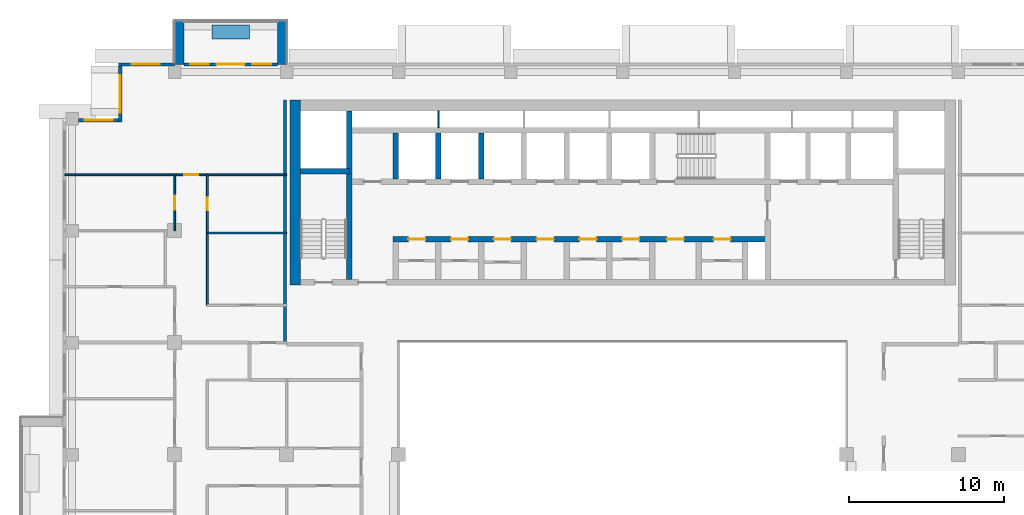
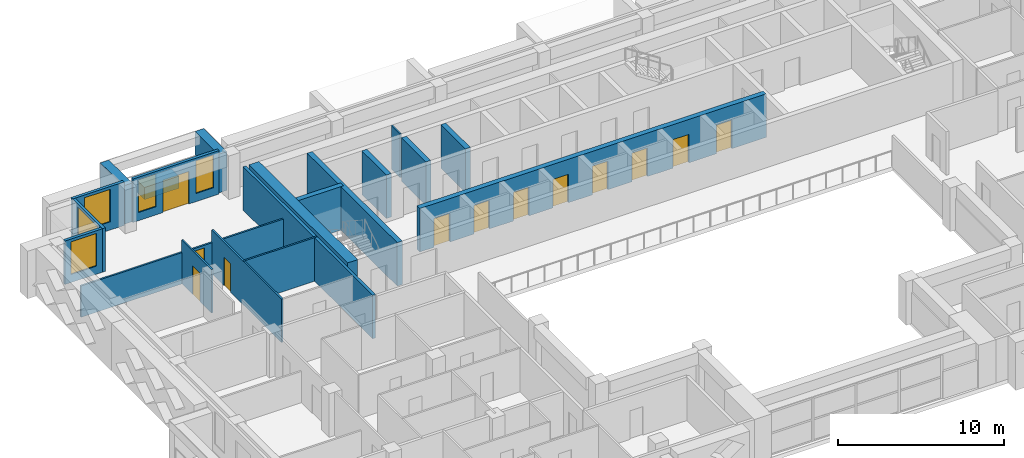
# One storey, part 10 of 20: 20 walls, 12 doors, 5 windows, 17 openings.
"""IFC4 building model written with IfcOpenShell, lengths in metres."""

from ifc_helpers import new_model, si_unit, direction, frame, frame_2d, origin, place, context, subcontext, project, spatial, rectangle, extrude, material, layer, layer_set, type_object, element, fill, save


model = new_model("IFC4")

# Units and contexts
model_context = context("Model", 3, precision=1e-05, world=origin(), true_north=direction((0.0, 1.0)))
body_context = subcontext(model_context, "Body", "Model", "MODEL_VIEW")
ifc_project = project(units=[si_unit("LENGTHUNIT", "METRE"), si_unit("AREAUNIT", "SQUARE_METRE"), si_unit("VOLUMEUNIT", "CUBIC_METRE"), si_unit("PLANEANGLEUNIT", "RADIAN"), si_unit("MASSUNIT", "GRAM", prefix="KILO")], contexts=[model_context])

# Site, building, storey
site_placement = place(None, origin())
site = spatial("IfcSite", under=ifc_project, at=site_placement, CompositionType="ELEMENT")
building_placement = place(site_placement, origin())
building = spatial("IfcBuilding", under=site, at=building_placement, Name="Saffron Iwan Residences", CompositionType="ELEMENT")
storey_placement = place(building_placement, frame((0.0, 0.0, 199.0)))
storey = spatial("IfcBuildingStorey", under=building, at=storey_placement, Name="L53", CompositionType="ELEMENT", Elevation=199.0)

# Walls
ifc_material_1 = material(Name="Concrete C50/60 white painted", Category="concrete")
ifc_layer_1 = layer(ifc_material_1, 0.60009765625)
ifc_layer_set_1 = layer_set([ifc_layer_1], Name="Concrete C50/60 white painted")
wall_type_1 = type_object("IfcWallType", Name="BALCONY FIN 600", PredefinedType="SOLIDWALL", material=ifc_layer_set_1)
for number, where, z_axis, x_axis, name in (
    (1, (28.5, 80.300048828125, 0.0), (0.0, 0.0, 1.0), (0.0, 1.0, 0.0), "Balcony fin L53 F5-3a"),
    (2, (21.89990234375, 80.300048828125, 0.0), (0.0, 0.0, 1.0), (0.0, 1.0, 0.0), "Balcony fin L53 F5-3b"),
):
    element("IfcWall", number, at=place(storey_placement, frame(where, z_axis=z_axis, x_axis=x_axis)), inside=storey, type_object=wall_type_1, Name=name, PredefinedType="SOLIDWALL", context=body_context, shape_type="SweptSolid", body=[
        extrude(rectangle(XDim=2.800048828125, YDim=0.60009765625, at=frame_2d((1.39990234375, 0.0))), origin(), (0.0, 0.0, 1.0), 2.85009765625),
    ])
ifc_material_2 = material(Name="Concrete C35/45 white painted", Category="concrete")
ifc_layer_2 = layer(ifc_material_2, 0.14990234375)
ifc_layer_set_2 = layer_set([ifc_layer_2], Name="Concrete C35/45 white painted")
wall_type_2 = type_object("IfcWallType", Name="BALCONY PLANTER", PredefinedType="SOLIDWALL", material=ifc_layer_set_2)
wall_1_placement = place(storey_placement, frame((26.39990234375, 82.375, 0.0), z_axis=(0.0, 0.0, 1.0), x_axis=(-1.0, 0.0, 0.0)))
element("IfcWall", 3, at=wall_1_placement, inside=storey, type_object=wall_type_2, Name="PLANTER L53 F5-3", PredefinedType="SOLIDWALL", context=body_context, shape_type="SweptSolid", body=[
    extrude(rectangle(XDim=2.39990234375, YDim=0.89990234375, at=frame_2d((1.199951171875, 0.0))), origin(), (0.0, 0.0, 1.0), 0.89990234375),
])

# Wall, openings, door, windows
ifc_material_3 = material(Name="Concrete C40/50", Category="concrete")
ifc_layer_3 = layer(ifc_material_3, 0.199951171875)
ifc_layer_set_3 = layer_set([ifc_layer_3], Name="Concrete C40/50")
wall_type_3 = type_object("IfcWallType", Name="EXTERNAL WALL 200", PredefinedType="SOLIDWALL", material=ifc_layer_set_3)
wall_2_placement = place(storey_placement, frame((28.199951171875, 80.300048828125, 0.0), z_axis=(0.0, 0.0, 1.0), x_axis=(-1.0, 0.0, 0.0)))
wall_2 = element("IfcWall", 4, at=wall_2_placement, inside=storey, type_object=wall_type_3, Name="External wall L53 F5.1", PredefinedType="SOLIDWALL", context=body_context, shape_type="SweptSolid", body=[
    extrude(rectangle(XDim=6.0, YDim=0.199951171875, at=frame_2d((3.0, 0.0))), origin(), (0.0, 0.0, 1.0), 3.199951171875),
])
opening_1_placement = place(wall_2_placement, frame((2.10009765625, 0.0, 0.0)))
opening_1 = element("IfcOpeningElement", 5, at=opening_1_placement, cuts=wall_2, Name="Opening BD1", PredefinedType="OPENING", context=body_context, shape_type="SweptSolid", body=[
    extrude(rectangle(XDim=1.800048828125, YDim=2.39990234375, at=frame_2d((0.89990234375, 1.199951171875))), frame((0.0, 0.10986328125, 0.0), z_axis=(0.0, -1.0, 0.0), x_axis=(1.0, 0.0, 0.0)), (0.0, 0.0, 1.0), 0.219970703125),
])
opening_2_placement = place(wall_2_placement, frame((0.39990234375, 0.0, 0.60009765625)))
opening_2 = element("IfcOpeningElement", 6, at=opening_2_placement, cuts=wall_2, Name="Opening W3", PredefinedType="OPENING", context=body_context, shape_type="SweptSolid", body=[
    extrude(rectangle(XDim=1.199951171875, YDim=2.39990234375, at=frame_2d((0.60009765625, 1.199951171875))), frame((0.0, 0.10986328125, 0.0), z_axis=(0.0, -1.0, 0.0), x_axis=(1.0, 0.0, 0.0)), (0.0, 0.0, 1.0), 0.219970703125),
])
opening_3_placement = place(wall_2_placement, frame((4.39990234375, 0.0, 0.60009765625)))
opening_3 = element("IfcOpeningElement", 7, at=opening_3_placement, cuts=wall_2, Name="Opening W3", PredefinedType="OPENING", context=body_context, shape_type="SweptSolid", body=[
    extrude(rectangle(XDim=1.199951171875, YDim=2.39990234375, at=frame_2d((0.60009765625, 1.199951171875))), frame((0.0, 0.10986328125, 0.0), z_axis=(0.0, -1.0, 0.0), x_axis=(1.0, 0.0, 0.0)), (0.0, 0.0, 1.0), 0.219970703125),
])
ifc_material_4 = material(Name="Clear glass, laminated double glazed", Category="glass")
door_type_1 = type_object("IfcDoorType", Name="BALCONY DOOR 1800 x 2400", OperationType="DOUBLE_DOOR_SLIDING", PredefinedType="DOOR", material=ifc_material_4)
door_1_placement = place(opening_1_placement, origin())
door_1 = element("IfcDoor", 8, at=door_1_placement, inside=storey, type_object=door_type_1, Name="Balcony door L53 F5.0", OperationType="DOUBLE_DOOR_SLIDING", OverallHeight=2.39990234375, OverallWidth=1.800048828125, PredefinedType="DOOR", context=body_context, shape_type="SweptSolid", body=[
    extrude(rectangle(XDim=1.800048828125, YDim=2.39990234375, at=frame_2d((0.89990234375, 1.199951171875))), frame((0.0, 0.02490234375, 0.0), z_axis=(0.0, -1.0, 0.0), x_axis=(1.0, 0.0, 0.0)), (0.0, 0.0, 1.0), 0.050048828125),
])
fill(opening_1, door_1)
window_type_1 = type_object("IfcWindowType", Name="WINDOW 1200 x 2400", PartitioningType="SINGLE_PANEL", PredefinedType="WINDOW", material=ifc_material_4)
window_1_placement = place(opening_2_placement, origin())
window_1 = element("IfcWindow", 9, at=window_1_placement, inside=storey, type_object=window_type_1, Name="Window L53 F5.1", OverallHeight=2.39990234375, OverallWidth=1.199951171875, PartitioningType="SINGLE_PANEL", PredefinedType="WINDOW", context=body_context, shape_type="SweptSolid", body=[
    extrude(rectangle(XDim=1.199951171875, YDim=2.39990234375, at=frame_2d((0.60009765625, 1.199951171875))), frame((0.0, 0.030029296875, 0.0), z_axis=(0.0, -1.0, 0.0), x_axis=(1.0, 0.0, 0.0)), (0.0, 0.0, 1.0), 0.06005859375),
])
fill(opening_2, window_1)
window_2_placement = place(opening_3_placement, origin())
window_2 = element("IfcWindow", 10, at=window_2_placement, inside=storey, type_object=window_type_1, Name="Window L53 F5.2", OverallHeight=2.39990234375, OverallWidth=1.199951171875, PartitioningType="SINGLE_PANEL", PredefinedType="WINDOW", context=body_context, shape_type="SweptSolid", body=[
    extrude(rectangle(XDim=1.199951171875, YDim=2.39990234375, at=frame_2d((0.60009765625, 1.199951171875))), frame((0.0, 0.030029296875, 0.0), z_axis=(0.0, -1.0, 0.0), x_axis=(1.0, 0.0, 0.0)), (0.0, 0.0, 1.0), 0.06005859375),
])
fill(opening_3, window_2)

# Wall, opening, window
wall_3_placement = place(storey_placement, frame((21.60009765625, 80.300048828125, 0.0), z_axis=(0.0, 0.0, 1.0), x_axis=(-1.0, 0.0, 0.0)))
wall_3 = element("IfcWall", 11, at=wall_3_placement, inside=storey, type_object=wall_type_3, Name="External wall L53 F5.2", PredefinedType="SOLIDWALL", context=body_context, shape_type="SweptSolid", body=[
    extrude(rectangle(XDim=3.60009765625, YDim=0.199951171875, at=frame_2d((1.800048828125, 0.0))), origin(), (0.0, 0.0, 1.0), 3.199951171875),
])
opening_4_placement = place(wall_3_placement, frame((0.97509765625, 0.0, 0.60009765625)))
opening_4 = element("IfcOpeningElement", 12, at=opening_4_placement, cuts=wall_3, Name="Opening W8", PredefinedType="OPENING", context=body_context, shape_type="SweptSolid", body=[
    extrude(rectangle(XDim=1.800048828125, YDim=2.39990234375, at=frame_2d((0.89990234375, 1.199951171875))), frame((0.0, 0.10986328125, 0.0), z_axis=(0.0, -1.0, 0.0), x_axis=(1.0, 0.0, 0.0)), (0.0, 0.0, 1.0), 0.219970703125),
])
window_type_2 = type_object("IfcWindowType", Name="WINDOW 1800 x 2400", PartitioningType="DOUBLE_PANEL_VERTICAL", PredefinedType="WINDOW", material=ifc_material_4)
window_3_placement = place(opening_4_placement, origin())
window_3 = element("IfcWindow", 13, at=window_3_placement, inside=storey, type_object=window_type_2, Name="Window L53 F5.0", OverallHeight=2.39990234375, OverallWidth=1.800048828125, PartitioningType="DOUBLE_PANEL_VERTICAL", PredefinedType="WINDOW", context=body_context, shape_type="SweptSolid", body=[
    extrude(rectangle(XDim=1.800048828125, YDim=2.39990234375, at=frame_2d((0.89990234375, 1.199951171875))), frame((0.0, 0.030029296875, 0.0), z_axis=(0.0, -1.0, 0.0), x_axis=(1.0, 0.0, 0.0)), (0.0, 0.0, 1.0), 0.06005859375),
])
fill(opening_4, window_3)

wall_4_placement = place(storey_placement, frame((18.10009765625, 80.199951171875, 0.0), z_axis=(0.0, 0.0, 1.0), x_axis=(0.0, -1.0, 0.0)))
wall_4 = element("IfcWall", 14, at=wall_4_placement, inside=storey, type_object=wall_type_3, Name="External wall L53 F6.0", PredefinedType="SOLIDWALL", context=body_context, shape_type="SweptSolid", body=[
    extrude(rectangle(XDim=3.599853515625, YDim=0.199951171875, at=frame_2d((1.7998046875, 0.0))), origin(), (0.0, 0.0, 1.0), 3.199951171875),
])
opening_5_placement = place(wall_4_placement, frame((0.60009765625, 0.0, 0.60009765625)))
opening_5 = element("IfcOpeningElement", 15, at=opening_5_placement, cuts=wall_4, Name="Opening W1", PredefinedType="OPENING", context=body_context, shape_type="SweptSolid", body=[
    extrude(rectangle(XDim=2.39990234375, YDim=2.39990234375, at=frame_2d((1.199951171875, 1.199951171875))), frame((0.0, 0.10986328125, 0.0), z_axis=(0.0, -1.0, 0.0), x_axis=(1.0, 0.0, 0.0)), (0.0, 0.0, 1.0), 0.219970703125),
])
window_type_3 = type_object("IfcWindowType", Name="WINDOW 2400 x 2400", PartitioningType="DOUBLE_PANEL_VERTICAL", PredefinedType="WINDOW", material=ifc_material_4)
window_4_placement = place(opening_5_placement, origin())
window_4 = element("IfcWindow", 16, at=window_4_placement, inside=storey, type_object=window_type_3, Name="Window L53 F6.0", OverallHeight=2.39990234375, OverallWidth=2.39990234375, PartitioningType="DOUBLE_PANEL_VERTICAL", PredefinedType="WINDOW", context=body_context, shape_type="SweptSolid", body=[
    extrude(rectangle(XDim=2.39990234375, YDim=2.39990234375, at=frame_2d((1.199951171875, 1.199951171875))), frame((0.0, 0.030029296875, 0.0), z_axis=(0.0, -1.0, 0.0), x_axis=(1.0, 0.0, 0.0)), (0.0, 0.0, 1.0), 0.06005859375),
])
fill(opening_5, window_4)

wall_5_placement = place(storey_placement, frame((18.0, 76.699951171875, 0.0), z_axis=(0.0, 0.0, 1.0), x_axis=(-1.0, 0.0, 0.0)))
wall_5 = element("IfcWall", 17, at=wall_5_placement, inside=storey, type_object=wall_type_3, Name="External wall L53 F7.0", PredefinedType="SOLIDWALL", context=body_context, shape_type="SweptSolid", body=[
    extrude(rectangle(XDim=2.60009765625, YDim=0.199951171875, at=frame_2d((1.300048828125, 0.0))), origin(), (0.0, 0.0, 1.0), 3.199951171875),
])
opening_6_placement = place(wall_5_placement, frame((0.39990234375, 0.0, 0.60009765625)))
opening_6 = element("IfcOpeningElement", 18, at=opening_6_placement, cuts=wall_5, Name="Opening W8", PredefinedType="OPENING", context=body_context, shape_type="SweptSolid", body=[
    extrude(rectangle(XDim=1.800048828125, YDim=2.39990234375, at=frame_2d((0.89990234375, 1.199951171875))), frame((0.0, 0.10986328125, 0.0), z_axis=(0.0, -1.0, 0.0), x_axis=(1.0, 0.0, 0.0)), (0.0, 0.0, 1.0), 0.219970703125),
])
window_5_placement = place(opening_6_placement, origin())
window_5 = element("IfcWindow", 19, at=window_5_placement, inside=storey, type_object=window_type_2, Name="Window L53 F7.0", OverallHeight=2.39990234375, OverallWidth=1.800048828125, PartitioningType="DOUBLE_PANEL_VERTICAL", PredefinedType="WINDOW", context=body_context, shape_type="SweptSolid", body=[
    extrude(rectangle(XDim=1.800048828125, YDim=2.39990234375, at=frame_2d((0.89990234375, 1.199951171875))), frame((0.0, 0.030029296875, 0.0), z_axis=(0.0, -1.0, 0.0), x_axis=(1.0, 0.0, 0.0)), (0.0, 0.0, 1.0), 0.06005859375),
])
fill(opening_6, window_5)

# Wall
ifc_material_5 = material(Name="Gypsum board partition")
ifc_layer_4 = layer(ifc_material_5, 0.1201171875)
ifc_layer_set_4 = layer_set([ifc_layer_4], Name="Gypsum board partition")
wall_type_4 = type_object("IfcWallType", Name="Flat partition 120", PredefinedType="PARTITIONING", material=ifc_layer_set_4)
wall_6_placement = place(storey_placement, frame((23.699951171875, 69.449951171875, 0.0), z_axis=(0.0, 0.0, 1.0), x_axis=(1.0, 0.0, 0.0)))
element("IfcWall", 20, at=wall_6_placement, inside=storey, type_object=wall_type_4, Name="W-L53-PART-h69.45-23.7", PredefinedType="PARTITIONING", context=body_context, shape_type="SweptSolid", body=[
    extrude(rectangle(XDim=5.10009765625, YDim=0.1201171875, at=frame_2d((2.550048828125, 0.0))), origin(), (0.0, 0.0, 1.0), 3.199951171875),
])

# Wall, opening, door
wall_7_placement = place(storey_placement, frame((14.52490234375, 73.199951171875, 0.0), z_axis=(0.0, 0.0, 1.0), x_axis=(1.0, 0.0, 0.0)))
wall_7 = element("IfcWall", 21, at=wall_7_placement, inside=storey, type_object=wall_type_4, Name="W-L53-PART-h73.2-14.525", PredefinedType="PARTITIONING", context=body_context, shape_type="SweptSolid", body=[
    extrude(rectangle(XDim=14.275146484375, YDim=0.1201171875, at=frame_2d((7.1376953125, 0.0))), origin(), (0.0, 0.0, 1.0), 2.300048828125),
])
opening_7_placement = place(wall_7_placement, frame((7.675048828125, 0.0, 0.0)))
opening_7 = element("IfcOpeningElement", 22, at=opening_7_placement, cuts=wall_7, Name="Opening FD2", PredefinedType="OPENING", context=body_context, shape_type="SweptSolid", body=[
    extrude(rectangle(XDim=0.89990234375, YDim=2.10009765625, at=frame_2d((0.449951171875, 1.050048828125))), frame((0.0, 0.070068359375, 0.0), z_axis=(0.0, -1.0, 0.0), x_axis=(1.0, 0.0, 0.0)), (0.0, 0.0, 1.0), 0.14013671875),
])
ifc_material_6 = material(Name="Timber door", Category="wood")
door_type_2 = type_object("IfcDoorType", Name="Flat door 900", OperationType="NOTDEFINED", PredefinedType="DOOR", material=ifc_material_6)
door_2_placement = place(opening_7_placement, origin())
door_2 = element("IfcDoor", 23, at=door_2_placement, inside=storey, type_object=door_type_2, Name="Door L53-029", OperationType="SINGLE_SWING_RIGHT", OverallHeight=2.10009765625, OverallWidth=0.89990234375, PredefinedType="DOOR", context=body_context, shape_type="SweptSolid", body=[
    extrude(rectangle(XDim=0.89990234375, YDim=2.10009765625, at=frame_2d((0.449951171875, 1.050048828125))), frame((0.0, 0.02490234375, 0.0), z_axis=(0.0, -1.0, 0.0), x_axis=(1.0, 0.0, 0.0)), (0.0, 0.0, 1.0), 0.050048828125),
])
fill(opening_7, door_2)

wall_8_placement = place(storey_placement, frame((21.60009765625, 69.60009765625, 0.0), z_axis=(0.0, 0.0, 1.0), x_axis=(0.0, 1.0, 0.0)))
wall_8 = element("IfcWall", 24, at=wall_8_placement, inside=storey, type_object=wall_type_4, Name="W-L53-PART-v21.6-69.6", PredefinedType="PARTITIONING", context=body_context, shape_type="SweptSolid", body=[
    extrude(rectangle(XDim=3.599853515625, YDim=0.1201171875, at=frame_2d((1.7998046875, 0.0))), origin(), (0.0, 0.0, 1.0), 3.199951171875),
])
opening_8_placement = place(wall_8_placement, frame((1.35009765625, 0.0, 0.0)))
opening_8 = element("IfcOpeningElement", 25, at=opening_8_placement, cuts=wall_8, Name="Opening FD2", PredefinedType="OPENING", context=body_context, shape_type="SweptSolid", body=[
    extrude(rectangle(XDim=0.89990234375, YDim=2.10009765625, at=frame_2d((0.449951171875, 1.050048828125))), frame((0.0, 0.070068359375, 0.0), z_axis=(0.0, -1.0, 0.0), x_axis=(1.0, 0.0, 0.0)), (0.0, 0.0, 1.0), 0.14013671875),
])
door_3_placement = place(opening_8_placement, origin())
door_3 = element("IfcDoor", 26, at=door_3_placement, inside=storey, type_object=door_type_2, Name="Door L53-028", OperationType="SINGLE_SWING_LEFT", OverallHeight=2.10009765625, OverallWidth=0.89990234375, PredefinedType="DOOR", context=body_context, shape_type="SweptSolid", body=[
    extrude(rectangle(XDim=0.89990234375, YDim=2.10009765625, at=frame_2d((0.449951171875, 1.050048828125))), frame((0.0, 0.02490234375, 0.0), z_axis=(0.0, -1.0, 0.0), x_axis=(1.0, 0.0, 0.0)), (0.0, 0.0, 1.0), 0.050048828125),
])
fill(opening_8, door_3)

wall_9_placement = place(storey_placement, frame((23.699951171875, 64.800048828125, 0.0), z_axis=(0.0, 0.0, 1.0), x_axis=(0.0, 1.0, 0.0)))
wall_9 = element("IfcWall", 27, at=wall_9_placement, inside=storey, type_object=wall_type_4, Name="W-L53-PART-v23.7-64.8", PredefinedType="PARTITIONING", context=body_context, shape_type="SweptSolid", body=[
    extrude(rectangle(XDim=8.39990234375, YDim=0.1201171875, at=frame_2d((4.199951171875, 0.0))), origin(), (0.0, 0.0, 1.0), 3.199951171875),
])
opening_9_placement = place(wall_9_placement, frame((6.125, 0.0, 0.0)))
opening_9 = element("IfcOpeningElement", 28, at=opening_9_placement, cuts=wall_9, Name="Opening FD3", PredefinedType="OPENING", context=body_context, shape_type="SweptSolid", body=[
    extrude(rectangle(XDim=0.800048828125, YDim=2.10009765625, at=frame_2d((0.39990234375, 1.050048828125))), frame((0.0, 0.070068359375, 0.0), z_axis=(0.0, -1.0, 0.0), x_axis=(1.0, 0.0, 0.0)), (0.0, 0.0, 1.0), 0.14013671875),
])
door_type_3 = type_object("IfcDoorType", Name="Bathroom door 800", OperationType="NOTDEFINED", PredefinedType="DOOR", material=ifc_material_6)
door_4_placement = place(opening_9_placement, origin())
door_4 = element("IfcDoor", 29, at=door_4_placement, inside=storey, type_object=door_type_3, Name="Door L53-031", OperationType="SINGLE_SWING_LEFT", OverallHeight=2.10009765625, OverallWidth=0.800048828125, PredefinedType="DOOR", context=body_context, shape_type="SweptSolid", body=[
    extrude(rectangle(XDim=0.800048828125, YDim=2.10009765625, at=frame_2d((0.39990234375, 1.050048828125))), frame((0.0, 0.02490234375, 0.0), z_axis=(0.0, -1.0, 0.0), x_axis=(1.0, 0.0, 0.0)), (0.0, 0.0, 1.0), 0.050048828125),
])
fill(opening_9, door_4)

# Walls
ifc_material_7 = material(Name="Fire-rated gypsum board wall")
ifc_layer_5 = layer(ifc_material_7, 0.199951171875)
ifc_layer_set_5 = layer_set([ifc_layer_5], Name="Fire-rated gypsum board wall")
wall_type_5 = type_object("IfcWallType", Name="Gallery wall 200", PredefinedType="SOLIDWALL", material=ifc_layer_set_5)
wall_10_placement = place(storey_placement, frame((28.699951171875, 62.39990234375, 0.0), z_axis=(0.0, 0.0, 1.0), x_axis=(0.0, 1.0, 0.0)))
element("IfcWall", 30, at=wall_10_placement, inside=storey, type_object=wall_type_5, Name="W-L53-CORR-v28.8-62.4", PredefinedType="SOLIDWALL", context=body_context, shape_type="SweptSolid", body=[
    extrude(rectangle(XDim=15.60009765625, YDim=0.199951171875, at=frame_2d((7.800048828125, 0.0))), origin(), (0.0, 0.0, 1.0), 3.199951171875),
])
ifc_material_8 = material(Name="Fire-rated plasterboard partition")
ifc_layer_6 = layer(ifc_material_8, 0.10009765625)
ifc_layer_set_6 = layer_set([ifc_layer_6], Name="Fire-rated plasterboard partition")
wall_type_6 = type_object("IfcWallType", Name="Riser partition 100", PredefinedType="PARTITIONING", material=ifc_layer_set_6)
wall_11_placement = place(storey_placement, frame((38.550048828125, 76.22509765625, 0.0), z_axis=(0.0, 0.0, 1.0), x_axis=(0.0, 1.0, 0.0)))
element("IfcWall", 31, at=wall_11_placement, inside=storey, type_object=wall_type_6, Name="Core partition P07", PredefinedType="PARTITIONING", context=body_context, shape_type="SweptSolid", body=[
    extrude(rectangle(XDim=1.074951171875, YDim=0.10009765625, at=frame_2d((0.53759765625, 0.0))), origin(), (0.0, 0.0, 1.0), 3.199951171875),
])

# Wall, openings, doors
ifc_material_9 = material(Name="Concrete C50/60", Category="concrete")
ifc_layer_7 = layer(ifc_material_9, 0.35009765625)
ifc_layer_set_7 = layer_set([ifc_layer_7], Name="Concrete C50/60")
wall_type_7 = type_object("IfcWallType", Name="WALL CORE 350 C50/60 3200 HIGH", PredefinedType="SHEAR", material=ifc_layer_set_7)
wall_12_placement = place(storey_placement, frame((35.625, 69.050048828125, 0.0), z_axis=(0.0, 0.0, 1.0), x_axis=(1.0, 0.0, 0.0)))
wall_12 = element("IfcWall", 32, at=wall_12_placement, inside=storey, type_object=wall_type_7, Name="Core wall", PredefinedType="SHEAR", context=body_context, shape_type="SweptSolid", body=[
    extrude(rectangle(XDim=24.10009765625, YDim=0.35009765625, at=frame_2d((12.050048828125, 0.0))), origin(), (0.0, 0.0, 1.0), 3.199951171875),
])
opening_10_placement = place(wall_12_placement, frame((1.0, 0.0, 0.0)))
opening_10 = element("IfcOpeningElement", 33, at=opening_10_placement, cuts=wall_12, Name="Opening SR", PredefinedType="OPENING", context=body_context, shape_type="SweptSolid", body=[
    extrude(rectangle(XDim=1.10009765625, YDim=2.10009765625, at=frame_2d((0.550048828125, 1.050048828125))), frame((0.0, 0.18505859375, 0.0), z_axis=(0.0, -1.0, 0.0), x_axis=(1.0, 0.0, 0.0)), (0.0, 0.0, 1.0), 0.3701171875),
])
opening_11_placement = place(wall_12_placement, frame((3.75, 0.0, 0.0)))
opening_11 = element("IfcOpeningElement", 34, at=opening_11_placement, cuts=wall_12, Name="Opening SR", PredefinedType="OPENING", context=body_context, shape_type="SweptSolid", body=[
    extrude(rectangle(XDim=1.10009765625, YDim=2.10009765625, at=frame_2d((0.550048828125, 1.050048828125))), frame((0.0, 0.18505859375, 0.0), z_axis=(0.0, -1.0, 0.0), x_axis=(1.0, 0.0, 0.0)), (0.0, 0.0, 1.0), 0.3701171875),
])
opening_12_placement = place(wall_12_placement, frame((6.5, 0.0, 0.0)))
opening_12 = element("IfcOpeningElement", 35, at=opening_12_placement, cuts=wall_12, Name="Opening SR", PredefinedType="OPENING", context=body_context, shape_type="SweptSolid", body=[
    extrude(rectangle(XDim=1.10009765625, YDim=2.10009765625, at=frame_2d((0.550048828125, 1.050048828125))), frame((0.0, 0.18505859375, 0.0), z_axis=(0.0, -1.0, 0.0), x_axis=(1.0, 0.0, 0.0)), (0.0, 0.0, 1.0), 0.3701171875),
])
opening_13_placement = place(wall_12_placement, frame((9.25, 0.0, 0.0)))
opening_13 = element("IfcOpeningElement", 36, at=opening_13_placement, cuts=wall_12, Name="Opening SR", PredefinedType="OPENING", context=body_context, shape_type="SweptSolid", body=[
    extrude(rectangle(XDim=1.10009765625, YDim=2.10009765625, at=frame_2d((0.550048828125, 1.050048828125))), frame((0.0, 0.18505859375, 0.0), z_axis=(0.0, -1.0, 0.0), x_axis=(1.0, 0.0, 0.0)), (0.0, 0.0, 1.0), 0.3701171875),
])
opening_14_placement = place(wall_12_placement, frame((12.0, 0.0, 0.0)))
opening_14 = element("IfcOpeningElement", 37, at=opening_14_placement, cuts=wall_12, Name="Opening SR", PredefinedType="OPENING", context=body_context, shape_type="SweptSolid", body=[
    extrude(rectangle(XDim=1.10009765625, YDim=2.10009765625, at=frame_2d((0.550048828125, 1.050048828125))), frame((0.0, 0.18505859375, 0.0), z_axis=(0.0, -1.0, 0.0), x_axis=(1.0, 0.0, 0.0)), (0.0, 0.0, 1.0), 0.3701171875),
])
opening_15_placement = place(wall_12_placement, frame((14.75, 0.0, 0.0)))
opening_15 = element("IfcOpeningElement", 38, at=opening_15_placement, cuts=wall_12, Name="Opening SR", PredefinedType="OPENING", context=body_context, shape_type="SweptSolid", body=[
    extrude(rectangle(XDim=1.10009765625, YDim=2.10009765625, at=frame_2d((0.550048828125, 1.050048828125))), frame((0.0, 0.18505859375, 0.0), z_axis=(0.0, -1.0, 0.0), x_axis=(1.0, 0.0, 0.0)), (0.0, 0.0, 1.0), 0.3701171875),
])
opening_16_placement = place(wall_12_placement, frame((17.625, 0.0, 0.0)))
opening_16 = element("IfcOpeningElement", 39, at=opening_16_placement, cuts=wall_12, Name="Opening SR", PredefinedType="OPENING", context=body_context, shape_type="SweptSolid", body=[
    extrude(rectangle(XDim=1.10009765625, YDim=2.10009765625, at=frame_2d((0.550048828125, 1.050048828125))), frame((0.0, 0.18505859375, 0.0), z_axis=(0.0, -1.0, 0.0), x_axis=(1.0, 0.0, 0.0)), (0.0, 0.0, 1.0), 0.3701171875),
])
opening_17_placement = place(wall_12_placement, frame((20.625, 0.0, 0.0)))
opening_17 = element("IfcOpeningElement", 40, at=opening_17_placement, cuts=wall_12, Name="Opening SR", PredefinedType="OPENING", context=body_context, shape_type="SweptSolid", body=[
    extrude(rectangle(XDim=1.10009765625, YDim=2.10009765625, at=frame_2d((0.550048828125, 1.050048828125))), frame((0.0, 0.18505859375, 0.0), z_axis=(0.0, -1.0, 0.0), x_axis=(1.0, 0.0, 0.0)), (0.0, 0.0, 1.0), 0.3701171875),
])
ifc_material_10 = material(Name="Steel fire door", Category="steel")
door_type_4 = type_object("IfcDoorType", Name="Service door 1100", OperationType="NOTDEFINED", PredefinedType="DOOR", material=ifc_material_10)
door_5_placement = place(opening_10_placement, origin())
door_5 = element("IfcDoor", 41, at=door_5_placement, inside=storey, type_object=door_type_4, Name="Door Pantry", OperationType="SINGLE_SWING_RIGHT", OverallHeight=2.10009765625, OverallWidth=1.10009765625, PredefinedType="DOOR", context=body_context, shape_type="SweptSolid", body=[
    extrude(rectangle(XDim=1.10009765625, YDim=2.10009765625, at=frame_2d((0.550048828125, 1.050048828125))), frame((0.0, 0.02490234375, 0.0), z_axis=(0.0, -1.0, 0.0), x_axis=(1.0, 0.0, 0.0)), (0.0, 0.0, 1.0), 0.050048828125),
])
fill(opening_10, door_5)
door_6_placement = place(opening_11_placement, origin())
door_6 = element("IfcDoor", 42, at=door_6_placement, inside=storey, type_object=door_type_4, Name="Door Electrical room", OperationType="SINGLE_SWING_LEFT", OverallHeight=2.10009765625, OverallWidth=1.10009765625, PredefinedType="DOOR", context=body_context, shape_type="SweptSolid", body=[
    extrude(rectangle(XDim=1.10009765625, YDim=2.10009765625, at=frame_2d((0.550048828125, 1.050048828125))), frame((0.0, 0.02490234375, 0.0), z_axis=(0.0, -1.0, 0.0), x_axis=(1.0, 0.0, 0.0)), (0.0, 0.0, 1.0), 0.050048828125),
])
fill(opening_11, door_6)
door_7_placement = place(opening_12_placement, origin())
door_7 = element("IfcDoor", 43, at=door_7_placement, inside=storey, type_object=door_type_4, Name="Door Luggage store", OperationType="SINGLE_SWING_RIGHT", OverallHeight=2.10009765625, OverallWidth=1.10009765625, PredefinedType="DOOR", context=body_context, shape_type="SweptSolid", body=[
    extrude(rectangle(XDim=1.10009765625, YDim=2.10009765625, at=frame_2d((0.550048828125, 1.050048828125))), frame((0.0, 0.02490234375, 0.0), z_axis=(0.0, -1.0, 0.0), x_axis=(1.0, 0.0, 0.0)), (0.0, 0.0, 1.0), 0.050048828125),
])
fill(opening_12, door_7)
door_8_placement = place(opening_13_placement, origin())
door_8 = element("IfcDoor", 44, at=door_8_placement, inside=storey, type_object=door_type_4, Name="Door Refuse store", OperationType="SINGLE_SWING_LEFT", OverallHeight=2.10009765625, OverallWidth=1.10009765625, PredefinedType="DOOR", context=body_context, shape_type="SweptSolid", body=[
    extrude(rectangle(XDim=1.10009765625, YDim=2.10009765625, at=frame_2d((0.550048828125, 1.050048828125))), frame((0.0, 0.02490234375, 0.0), z_axis=(0.0, -1.0, 0.0), x_axis=(1.0, 0.0, 0.0)), (0.0, 0.0, 1.0), 0.050048828125),
])
fill(opening_13, door_8)
door_9_placement = place(opening_14_placement, origin())
door_9 = element("IfcDoor", 45, at=door_9_placement, inside=storey, type_object=door_type_4, Name="Door Maintenance store", OperationType="SINGLE_SWING_RIGHT", OverallHeight=2.10009765625, OverallWidth=1.10009765625, PredefinedType="DOOR", context=body_context, shape_type="SweptSolid", body=[
    extrude(rectangle(XDim=1.10009765625, YDim=2.10009765625, at=frame_2d((0.550048828125, 1.050048828125))), frame((0.0, 0.02490234375, 0.0), z_axis=(0.0, -1.0, 0.0), x_axis=(1.0, 0.0, 0.0)), (0.0, 0.0, 1.0), 0.050048828125),
])
fill(opening_14, door_9)
door_10_placement = place(opening_15_placement, origin())
door_10 = element("IfcDoor", 46, at=door_10_placement, inside=storey, type_object=door_type_4, Name="Door Linen store", OperationType="SINGLE_SWING_LEFT", OverallHeight=2.10009765625, OverallWidth=1.10009765625, PredefinedType="DOOR", context=body_context, shape_type="SweptSolid", body=[
    extrude(rectangle(XDim=1.10009765625, YDim=2.10009765625, at=frame_2d((0.550048828125, 1.050048828125))), frame((0.0, 0.02490234375, 0.0), z_axis=(0.0, -1.0, 0.0), x_axis=(1.0, 0.0, 0.0)), (0.0, 0.0, 1.0), 0.050048828125),
])
fill(opening_15, door_10)
door_11_placement = place(opening_16_placement, origin())
door_11 = element("IfcDoor", 47, at=door_11_placement, inside=storey, type_object=door_type_4, Name="Door Trolley store", OperationType="SINGLE_SWING_RIGHT", OverallHeight=2.10009765625, OverallWidth=1.10009765625, PredefinedType="DOOR", context=body_context, shape_type="SweptSolid", body=[
    extrude(rectangle(XDim=1.10009765625, YDim=2.10009765625, at=frame_2d((0.550048828125, 1.050048828125))), frame((0.0, 0.02490234375, 0.0), z_axis=(0.0, -1.0, 0.0), x_axis=(1.0, 0.0, 0.0)), (0.0, 0.0, 1.0), 0.050048828125),
])
fill(opening_16, door_11)
door_12_placement = place(opening_17_placement, origin())
door_12 = element("IfcDoor", 48, at=door_12_placement, inside=storey, type_object=door_type_4, Name="Door Communications room", OperationType="SINGLE_SWING_RIGHT", OverallHeight=2.10009765625, OverallWidth=1.10009765625, PredefinedType="DOOR", context=body_context, shape_type="SweptSolid", body=[
    extrude(rectangle(XDim=1.10009765625, YDim=2.10009765625, at=frame_2d((0.550048828125, 1.050048828125))), frame((0.0, 0.02490234375, 0.0), z_axis=(0.0, -1.0, 0.0), x_axis=(1.0, 0.0, 0.0)), (0.0, 0.0, 1.0), 0.050048828125),
])
fill(opening_17, door_12)

# Walls
wall_13_placement = place(storey_placement, frame((29.699951171875, 73.425048828125, 0.0), z_axis=(0.0, 0.0, 1.0), x_axis=(1.0, 0.0, 0.0)))
element("IfcWall", 49, at=wall_13_placement, inside=storey, type_object=wall_type_7, Name="Core wall", PredefinedType="SHEAR", context=body_context, shape_type="SweptSolid", body=[
    extrude(rectangle(XDim=3.125, YDim=0.35009765625, at=frame_2d((1.5625, 0.0))), origin(), (0.0, 0.0, 1.0), 3.199951171875),
])
wall_14_placement = place(storey_placement, frame((32.824951171875, 66.449951171875, 0.0), z_axis=(0.0, 0.0, 1.0), x_axis=(0.0, 1.0, 0.0)))
element("IfcWall", 50, at=wall_14_placement, inside=storey, type_object=wall_type_7, Name="Core wall", PredefinedType="SHEAR", context=body_context, shape_type="SweptSolid", body=[
    extrude(rectangle(XDim=10.85009765625, YDim=0.35009765625, at=frame_2d((5.425048828125, 0.0))), origin(), (0.0, 0.0, 1.0), 3.199951171875),
])
for number, where, z_axis, x_axis, name in (
    (51, (35.800048828125, 72.925048828125, 0.0), (0.0, 0.0, 1.0), (0.0, 1.0, 0.0), "Core wall"),
    (52, (38.550048828125, 72.925048828125, 0.0), (0.0, 0.0, 1.0), (0.0, 1.0, 0.0), "Core wall"),
    (53, (41.300048828125, 72.925048828125, 0.0), (0.0, 0.0, 1.0), (0.0, 1.0, 0.0), "Core wall"),
):
    element("IfcWall", number, at=place(storey_placement, frame(where, z_axis=z_axis, x_axis=x_axis)), inside=storey, type_object=wall_type_7, Name=name, PredefinedType="SHEAR", context=body_context, shape_type="SweptSolid", body=[
        extrude(rectangle(XDim=2.949951171875, YDim=0.35009765625, at=frame_2d((1.47509765625, 0.0))), origin(), (0.0, 0.0, 1.0), 3.199951171875),
    ])
ifc_layer_8 = layer(ifc_material_9, 0.699951171875)
ifc_layer_set_8 = layer_set([ifc_layer_8], Name="Concrete C50/60")
wall_type_8 = type_object("IfcWallType", Name="WALL CORE 700 C50/60 3200 HIGH", PredefinedType="SHEAR", material=ifc_layer_set_8)
wall_15_placement = place(storey_placement, frame((29.35009765625, 66.10009765625, 0.0), z_axis=(0.0, 0.0, 1.0), x_axis=(0.0, 1.0, 0.0)))
element("IfcWall", 54, at=wall_15_placement, inside=storey, type_object=wall_type_8, Name="Core wall", PredefinedType="SHEAR", context=body_context, shape_type="SweptSolid", body=[
    extrude(rectangle(XDim=11.89990234375, YDim=0.699951171875, at=frame_2d((5.949951171875, 0.0))), origin(), (0.0, 0.0, 1.0), 3.199951171875),
])

save(model, "model.ifc")
